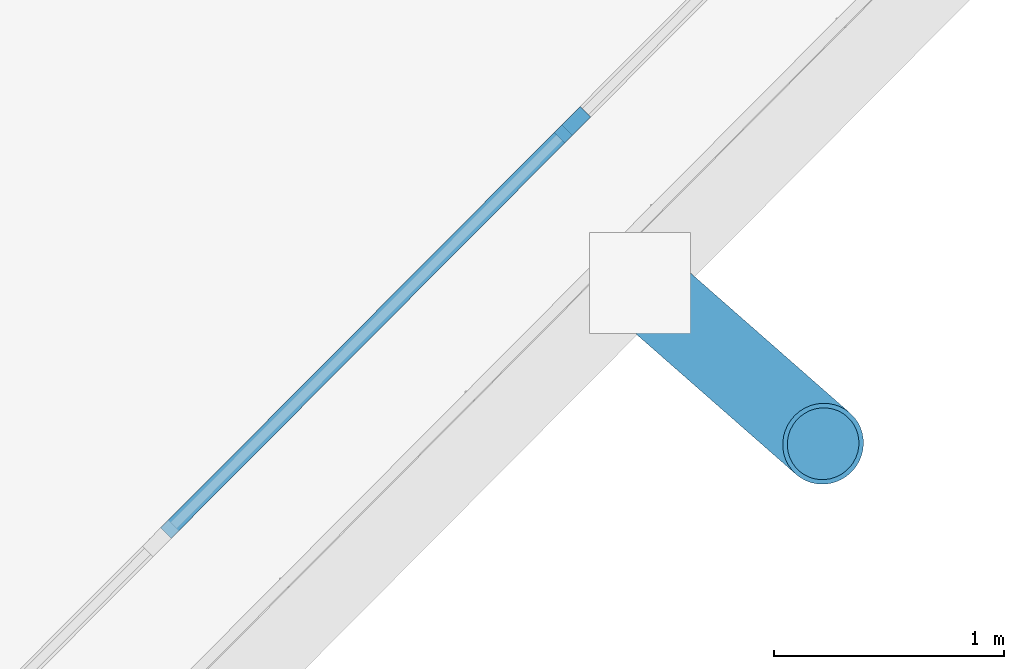
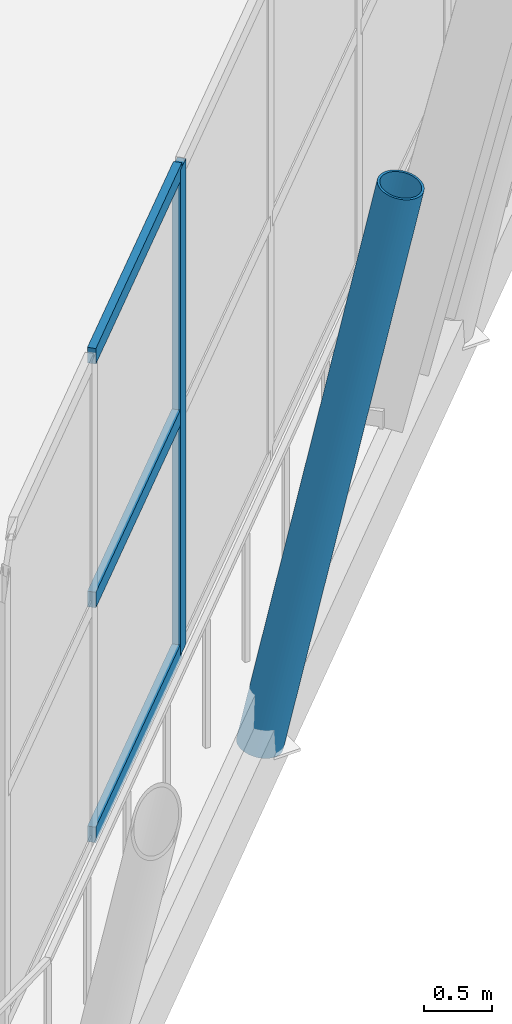
# One storey, part 51 of 168: 5 members, 1 element without a shape of its own.
"""IFC4 building model written with IfcOpenShell, lengths in metres."""

from ifc_helpers import new_model, si_unit, direction, frame, origin, origin_2d, place, context, subcontext, project, spatial, rectangle, hollow_circle, extrude, material, material_profile, profile_set, type_object, element, aggregate, save


model = new_model("IFC4")

# Units and contexts
model_context = context("Model", 3, precision=1e-05, world=origin(), true_north=direction((0.0, 1.0)))
body_context = subcontext(model_context, "Body", "Model", "MODEL_VIEW")
ifc_project = project(units=[si_unit("LENGTHUNIT", "METRE"), si_unit("AREAUNIT", "SQUARE_METRE"), si_unit("VOLUMEUNIT", "CUBIC_METRE"), si_unit("PLANEANGLEUNIT", "RADIAN"), si_unit("MASSUNIT", "GRAM", prefix="KILO")], contexts=[model_context])

# Site, building, storey
site_placement = place(None, origin())
site = spatial("IfcSite", under=ifc_project, at=site_placement, CompositionType="ELEMENT")
building_placement = place(site_placement, origin())
building = spatial("IfcBuilding", under=site, at=building_placement, Name="Zlatoyarsky Gate Stadium", CompositionType="ELEMENT")
storey_placement = place(building_placement, frame((0.0, 0.0, 15.60009765625)))
storey = spatial("IfcBuildingStorey", under=building, at=storey_placement, Name="L03", CompositionType="ELEMENT", Elevation=15.60009765625)

# Curtain wall, members
ifc_material_1 = material(Name="Thermally broken anodised aluminium curtain wall", Category="aluminium")
curtain_wall_type = type_object("IfcCurtainWallType", Name="UNITISED CORPORATE BOX GLAZING L03", PredefinedType="USERDEFINED", material=ifc_material_1)
curtain_wall_placement = place(storey_placement, origin())
curtain_wall = element("IfcCurtainWall", 1, at=curtain_wall_placement, inside=storey, type_object=curtain_wall_type, Name="Curtain wall CW-L03-21", ObjectType="UNITISED GLAZING", PredefinedType="USERDEFINED")
ifc_material_2 = material(Name="Anodised aluminium 6063-T6", Category="aluminium")
ifc_material_profile_1 = material_profile(ifc_material_2, rectangle(XDim=0.06494140625, YDim=0.159912109375, at=origin_2d()), Name="ALU 65X160")
ifc_profile_set_1 = profile_set([ifc_material_profile_1], Name="Anodised aluminium 6063-T6")
member_type_1 = type_object("IfcMemberType", Name="ALUMINIUM MULLION 65X160", PredefinedType="MULLION", material=ifc_profile_set_1)
member_1_placement = place(storey_placement, frame((182.92724609375, 31.734375, 0.0), z_axis=(0.0, 0.0, 1.0), x_axis=(-0.708721143054, 0.705488725202, 0.0)))
member_1 = element("IfcMember", 2, at=member_1_placement, type_object=member_type_1, Name="CW-UG3 mullion 3", PredefinedType="MULLION", context=body_context, shape_type="SweptSolid", body=[
    extrude(rectangle(XDim=0.06494140625, YDim=0.159912109375, at=origin_2d()), origin(), (0.0, 0.0, 1.0), 4.3798828125),
])
ifc_material_profile_2 = material_profile(ifc_material_2, rectangle(XDim=0.06494140625, YDim=0.139892578125, at=origin_2d()), Name="ALU 65X140")
ifc_profile_set_2 = profile_set([ifc_material_profile_2], Name="Anodised aluminium 6063-T6")
member_type_2 = type_object("IfcMemberType", Name="ALUMINIUM TRANSOM 65X140", PredefinedType="USERDEFINED", material=ifc_profile_set_2)
member_2_placement = place(storey_placement, frame((181.15771484375, 29.956787109375, 0.032470703125), z_axis=(0.705477793712, 0.708732024519, 0.0), x_axis=(-0.708732024519, 0.705477793712, 0.0)))
member_2 = element("IfcMember", 3, at=member_2_placement, type_object=member_type_2, Name="CW-UG3 transom 2.1", ObjectType="TRANSOM", PredefinedType="USERDEFINED", context=body_context, shape_type="SweptSolid", body=[
    extrude(rectangle(XDim=0.06494140625, YDim=0.139892578125, at=origin_2d()), origin(), (0.0, 0.0, 1.0), 2.475830078125),
])
member_3_placement = place(storey_placement, frame((181.15771484375, 29.956787109375, 2.14990234375), z_axis=(0.705477793712, 0.708732024519, 0.0), x_axis=(-0.708732024519, 0.705477793712, 0.0)))
member_3 = element("IfcMember", 4, at=member_3_placement, type_object=member_type_2, Name="CW-UG3 transom 2.2", ObjectType="TRANSOM", PredefinedType="USERDEFINED", context=body_context, shape_type="SweptSolid", body=[
    extrude(rectangle(XDim=0.06494140625, YDim=0.139892578125, at=origin_2d()), origin(), (0.0, 0.0, 1.0), 2.475830078125),
])
member_4_placement = place(storey_placement, frame((181.15771484375, 29.956787109375, 4.347412109375), z_axis=(0.705477793712, 0.708732024519, 0.0), x_axis=(-0.708732024519, 0.705477793712, 0.0)))
member_4 = element("IfcMember", 5, at=member_4_placement, type_object=member_type_2, Name="CW-UG3 transom 2.3", ObjectType="TRANSOM", PredefinedType="USERDEFINED", context=body_context, shape_type="SweptSolid", body=[
    extrude(rectangle(XDim=0.06494140625, YDim=0.139892578125, at=origin_2d()), origin(), (0.0, 0.0, 1.0), 2.475830078125),
])
aggregate(curtain_wall, [member_1, member_2, member_3, member_4])

# Member
ifc_material_3 = material(Name="Steel S355", Category="steel")
ifc_material_profile_3 = material_profile(ifc_material_3, hollow_circle(Radius=0.177734375, WallThickness=0.02001953125, at=origin_2d()), Name="CHS 355.6X20")
ifc_profile_set_3 = profile_set([ifc_material_profile_3], Name="Steel S355")
member_type_3 = type_object("IfcMemberType", Name="STEEL LEANING RIB RING STRUT CHS 355.6X20", PredefinedType="STRUT", material=ifc_profile_set_3)
member_5_placement = place(storey_placement, frame((183.220703125, 31.04541015625, -0.530029296875), z_axis=(0.150758944474, -0.132289242241, 0.979679180675), x_axis=(0.659563347668, 0.75164898085, 0.0)))
element("IfcMember", 6, at=member_5_placement, inside=storey, type_object=member_type_3, Name="Outward-leaning bowl louvre fin rib L03 21-1", PredefinedType="STRUT", context=body_context, shape_type="SweptSolid", body=[
    extrude(hollow_circle(Radius=0.177734375, WallThickness=0.02001953125, at=origin_2d()), origin(), (0.0, 0.0, 1.0), 5.287353515625),
])

save(model, "model.ifc")
